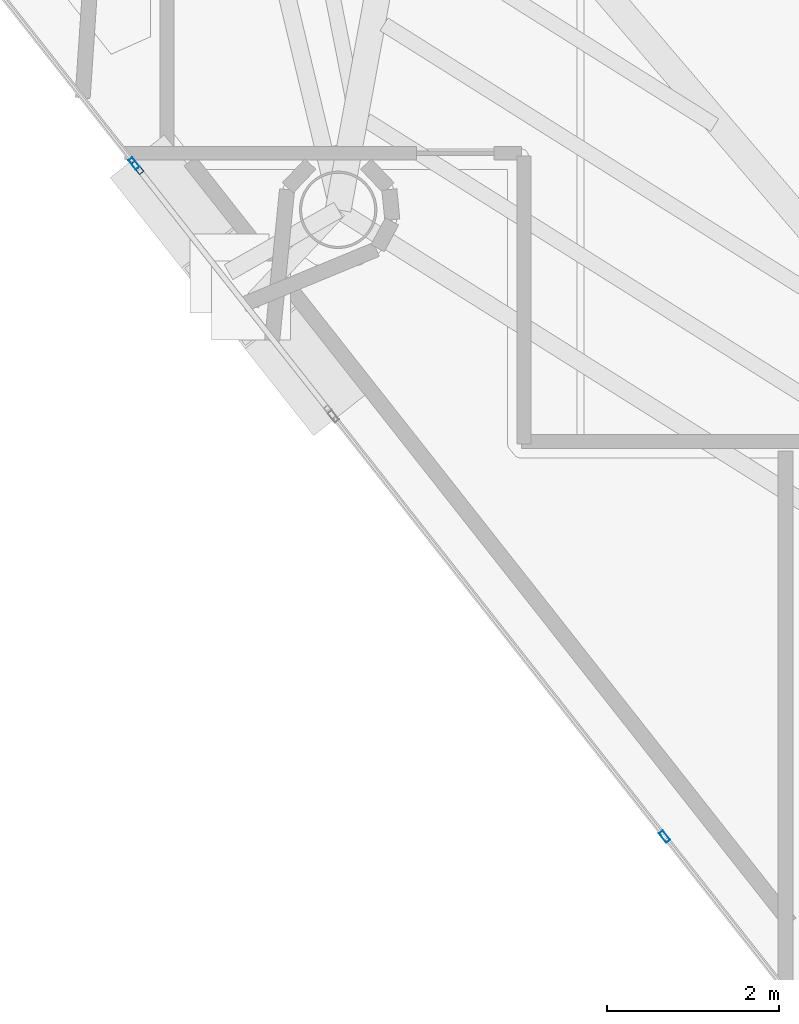
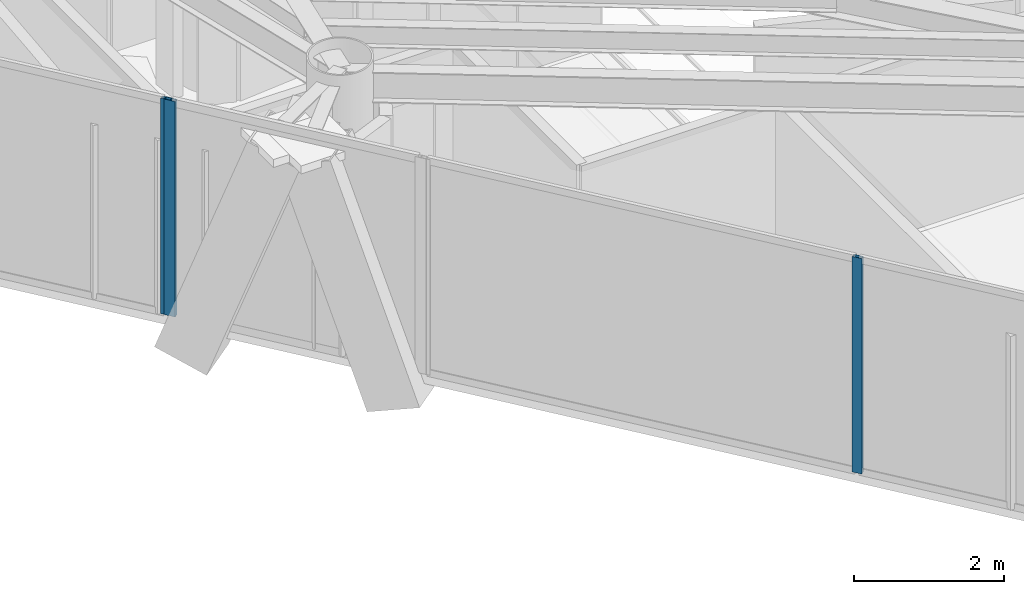
# One storey, part 2 of 21: 3 members, 3 elements without a shape of their own.
"""IFC4 building model written with IfcOpenShell, lengths in metres."""

from ifc_helpers import new_model, si_unit, direction, frame, origin, origin_2d, place, context, subcontext, project, spatial, hollow_rectangle, extrude, material, layer, layer_set, material_profile, profile_set, type_object, element, aggregate, save


model = new_model("IFC4")

# Units and contexts
model_context = context("Model", 3, precision=1e-05, world=origin(), true_north=direction((0.0, 1.0)))
body_context = subcontext(model_context, "Body", "Model", "MODEL_VIEW")
ifc_project = project(units=[si_unit("LENGTHUNIT", "METRE"), si_unit("AREAUNIT", "SQUARE_METRE"), si_unit("VOLUMEUNIT", "CUBIC_METRE"), si_unit("PLANEANGLEUNIT", "RADIAN"), si_unit("MASSUNIT", "GRAM", prefix="KILO")], contexts=[model_context])

# Site, building, storey
site_placement = place(None, origin())
site = spatial("IfcSite", under=ifc_project, at=site_placement, CompositionType="ELEMENT")
building_placement = place(site_placement, origin())
building = spatial("IfcBuilding", under=site, at=building_placement, Name="Qianvela Tower", CompositionType="ELEMENT")
storey_placement = place(building_placement, frame((0.0, 0.0, 310.199951171875)))
storey = spatial("IfcBuildingStorey", under=building, at=storey_placement, Name="L80", CompositionType="ELEMENT", Elevation=310.199951171875)

# Curtain wall, member
ifc_material_1 = material(Name="Anodised Architectural Aluminium and Insulated Spandrel Panel", Category="aluminium")
ifc_layer_1 = layer(ifc_material_1, 0.179931640625)
ifc_layer_set_1 = layer_set([ifc_layer_1], Name="Anodised Architectural Aluminium and Insulated Spandrel Panel")
curtain_wall_type_1 = type_object("IfcCurtainWallType", Name="CW-BRACEBAY", PredefinedType="USERDEFINED", material=ifc_layer_set_1)
curtain_wall_1_placement = place(storey_placement, origin())
curtain_wall_1 = element("IfcCurtainWall", 1, at=curtain_wall_1_placement, inside=storey, type_object=curtain_wall_type_1, Name="L80 CW-BRACEBAY Curtain Wall 04B", ObjectType="CURTAIN_WALL_SYSTEM", PredefinedType="USERDEFINED")
ifc_material_2 = material(Name="Anodised Architectural Aluminium 6063-T6", Category="aluminium")
ifc_material_profile_1 = material_profile(ifc_material_2, hollow_rectangle(XDim=0.06494140625, YDim=0.159912109375, WallThickness=0.0048828125, at=origin_2d()), Name="ALU-MULL-65x160")
ifc_profile_set_1 = profile_set([ifc_material_profile_1], Name="Anodised Architectural Aluminium 6063-T6")
member_type_1 = type_object("IfcMemberType", Name="CW-BRACEBAY-MULL", PredefinedType="MULLION", material=ifc_profile_set_1)
member_1_placement = place(storey_placement, frame((25.3369140625, 19.263671875, 0.0), z_axis=(0.0, 0.0, 1.0), x_axis=(0.785423618194, 0.618958593109, 0.0)))
member_1 = element("IfcMember", 2, at=member_1_placement, type_object=member_type_1, Name="CW-9 mullion 1", PredefinedType="MULLION", context=body_context, shape_type="SweptSolid", body=[
    extrude(hollow_rectangle(XDim=0.06494140625, YDim=0.159912109375, WallThickness=0.0048828125, at=origin_2d()), origin(), (0.0, 0.0, 1.0), 3.52001953125),
])
aggregate(curtain_wall_1, [member_1])

ifc_material_3 = material(Name="Anodised Architectural Aluminium and Low-E Glass", Category="aluminium")
ifc_layer_2 = layer(ifc_material_3, 0.14990234375)
ifc_layer_set_2 = layer_set([ifc_layer_2], Name="Anodised Architectural Aluminium and Low-E Glass")
curtain_wall_type_2 = type_object("IfcCurtainWallType", Name="CW-COLIV-Z78", PredefinedType="USERDEFINED", material=ifc_layer_set_2)
curtain_wall_2_placement = place(storey_placement, origin())
curtain_wall_2 = element("IfcCurtainWall", 3, at=curtain_wall_2_placement, inside=storey, type_object=curtain_wall_type_2, Name="L80 CW-COLIV-Z78 Curtain Wall 04A", ObjectType="CURTAIN_WALL_SYSTEM", PredefinedType="USERDEFINED")
ifc_material_4 = material(Name="Anodised Architectural Aluminium 6063-T6", Category="aluminium")
ifc_material_profile_2 = material_profile(ifc_material_4, hollow_rectangle(XDim=0.06005859375, YDim=0.139892578125, WallThickness=0.00439453125, at=origin_2d()), Name="ALU-MULL-60x140")
ifc_profile_set_2 = profile_set([ifc_material_profile_2], Name="Anodised Architectural Aluminium 6063-T6")
member_type_2 = type_object("IfcMemberType", Name="CW-COLIV-Z78-MULL", PredefinedType="MULLION", material=ifc_profile_set_2)
member_2_placement = place(storey_placement, frame((25.29833984375, 19.312744140625, 0.0), z_axis=(0.0, 0.0, 1.0), x_axis=(0.785421682814, 0.618961048989, 0.0)))
member_2 = element("IfcMember", 4, at=member_2_placement, type_object=member_type_2, Name="CW-6 mullion 3", PredefinedType="MULLION", context=body_context, shape_type="SweptSolid", body=[
    extrude(hollow_rectangle(XDim=0.06005859375, YDim=0.139892578125, WallThickness=0.00439453125, at=origin_2d()), origin(), (0.0, 0.0, 1.0), 3.52001953125),
])
aggregate(curtain_wall_2, [member_2])

curtain_wall_3_placement = place(storey_placement, origin())
curtain_wall_3 = element("IfcCurtainWall", 5, at=curtain_wall_3_placement, inside=storey, type_object=curtain_wall_type_2, Name="L80 CW-COLIV-Z78 Curtain Wall 04C", ObjectType="CURTAIN_WALL_SYSTEM", PredefinedType="USERDEFINED")
member_3_placement = place(storey_placement, frame((31.463134765625, 11.489990234375, 0.0), z_axis=(0.0, 0.0, 1.0), x_axis=(0.785420015609, 0.618963164559, 0.0)))
member_3 = element("IfcMember", 6, at=member_3_placement, type_object=member_type_2, Name="CW-6 mullion 2", PredefinedType="MULLION", context=body_context, shape_type="SweptSolid", body=[
    extrude(hollow_rectangle(XDim=0.06005859375, YDim=0.139892578125, WallThickness=0.00439453125, at=origin_2d()), origin(), (0.0, 0.0, 1.0), 3.52001953125),
])
aggregate(curtain_wall_3, [member_3])

save(model, "model.ifc")
